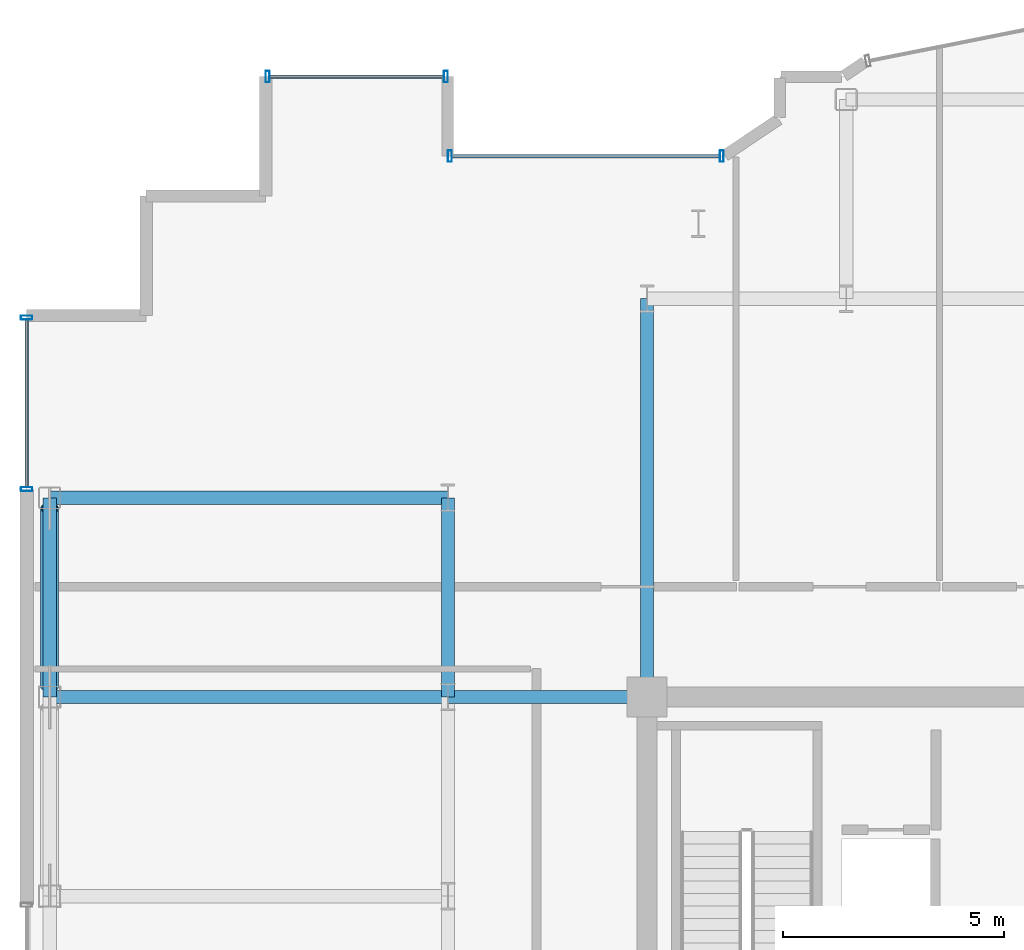
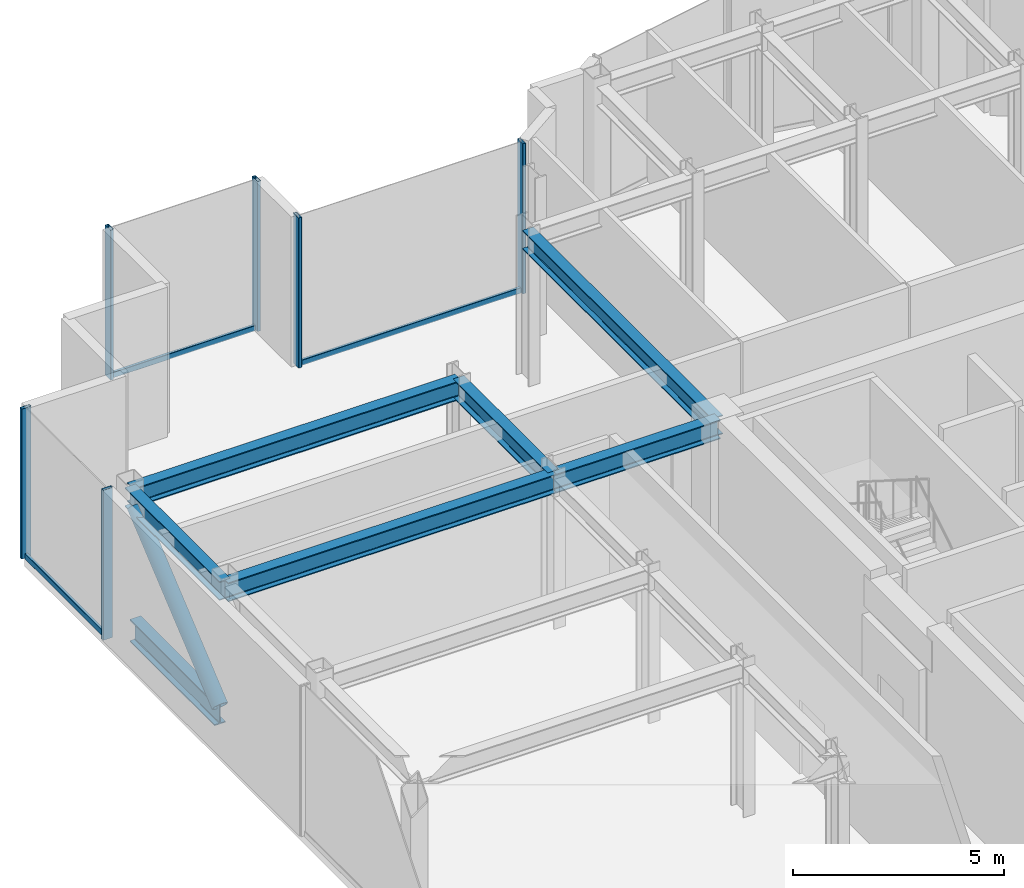
# One storey, part 9 of 18: 11 members, 6 beams, 3 elements without a shape of their own.
"""IFC4 building model written with IfcOpenShell, lengths in metres."""

import ifcopenshell
import ifcopenshell.guid

model = None  # the IFC model being written
_history = None  # IfcOwnerHistory: only IFC2X3 demands one
_inside = {}  # id of a spatial element -> (the spatial element, [elements in it])
_under = {}  # id of a project, library or spatial element -> (it, [spatial elements below it])
_declared = {}  # id of a project -> (the project, [libraries it declares])
_typed = {}  # id of a type object -> (the type object, [elements of that type])
_made_of = {}  # id of a material, layer set ... -> (it, [elements and type objects made of it])


def new_model(schema):
    """Start an empty IFC model of exactly this schema.

    Asked for "IFC4X3", IfcOpenShell would pick the latest addendum, in which some entities
    have other attributes; the version numbers below select the first issue.
    IFC2X3 requires an IfcOwnerHistory on every rooted entity: one is made here for all.
    """
    global model, _history
    if schema == "IFC4X3":
        model = ifcopenshell.file(schema_version=(4, 3, 0, 0))
    else:
        model = ifcopenshell.file(schema=schema)
    _inside.clear()
    _under.clear()
    _declared.clear()
    _typed.clear()
    _made_of.clear()
    _history = None
    if model.schema == "IFC2X3":
        org = make("IfcOrganization", Name="unknown")
        user = make(
            "IfcPersonAndOrganization",
            ThePerson=make("IfcPerson", FamilyName="unknown"),
            TheOrganization=org,
        )
        app = make(
            "IfcApplication",
            ApplicationDeveloper=org,
            Version="unknown",
            ApplicationFullName="unknown",
            ApplicationIdentifier="unknown",
        )
        _history = make(
            "IfcOwnerHistory",
            OwningUser=user,
            OwningApplication=app,
            ChangeAction="ADDED",
            CreationDate=0,
        )
    return model


def make(cls, **values):
    """One entity of the class cls with the attributes given. An attribute that is None is left unset."""
    return model.create_entity(
        cls, **{name: value for name, value in values.items() if value is not None}
    )


def rooted(cls, **values):
    """An entity with a GlobalId (a new one), such as an element, a storey or a relation."""
    return make(cls, GlobalId=ifcopenshell.guid.new(), OwnerHistory=_history, **values)


def si_unit(unit_type, name, prefix=None):
    """IfcSIUnit, for example si_unit("LENGTHUNIT", "METRE", prefix="MILLI")."""
    return make("IfcSIUnit", UnitType=unit_type, Prefix=prefix, Name=name)


def assignment(units):
    """IfcUnitAssignment: the units of a project."""
    return None if units is None else make("IfcUnitAssignment", Units=units)


def point(xyz):
    """IfcCartesianPoint."""
    return None if xyz is None else make("IfcCartesianPoint", Coordinates=xyz)


def direction(xyz):
    """IfcDirection."""
    return None if xyz is None else make("IfcDirection", DirectionRatios=xyz)


def frame(location, z_axis=None, x_axis=None):
    """IfcAxis2Placement3D, a coordinate frame: its origin and axes. An axis left out is left unset."""
    return make(
        "IfcAxis2Placement3D",
        Location=point(location),
        Axis=direction(z_axis),
        RefDirection=direction(x_axis),
    )


def frame_2d(location, x_axis=None):
    """IfcAxis2Placement2D, a coordinate frame in the plane: its origin and x axis."""
    return make(
        "IfcAxis2Placement2D", Location=point(location), RefDirection=direction(x_axis)
    )


def origin():
    """The frame at (0, 0, 0) with its axes left unset."""
    return frame((0.0, 0.0, 0.0))


def origin_2d():
    """The frame at (0, 0) in the plane with its x axis left unset."""
    return frame_2d((0.0, 0.0))


def place(relative_to, where):
    """IfcLocalPlacement: puts the frame where relative to a parent placement (None: the world)."""
    return make(
        "IfcLocalPlacement", PlacementRelTo=relative_to, RelativePlacement=where
    )


def context(
    kind, dimensions, precision=None, world=None, true_north=None, identifier=None
):
    """IfcGeometricRepresentationContext, for example the 3D "Model" context."""
    return make(
        "IfcGeometricRepresentationContext",
        ContextIdentifier=identifier,
        ContextType=kind,
        CoordinateSpaceDimension=dimensions,
        Precision=precision,
        WorldCoordinateSystem=world,
        TrueNorth=true_north,
    )


def subcontext(parent, identifier, kind, view, scale=None):
    """IfcGeometricRepresentationSubContext, for example "Body" below "Model"."""
    return make(
        "IfcGeometricRepresentationSubContext",
        ContextIdentifier=identifier,
        ContextType=kind,
        ParentContext=parent,
        TargetScale=scale,
        TargetView=view,
    )


def project(units=None, contexts=None):
    """IfcProject with its units and contexts."""
    return rooted(
        "IfcProject",
        Name="project",
        RepresentationContexts=contexts,
        UnitsInContext=assignment(units),
    )


def spatial(cls, under=None, at=None, **own):
    """A site, building, storey or space (cls), placed at a placement, below another one or the project."""
    s = rooted(cls, ObjectPlacement=at, **own)
    if under is not None:
        _under.setdefault(under.id(), (under, []))[1].append(s)
    return s


def profile(cls, at=None, kind="AREA", **sizes):
    """A parametric profile (cls). Its sizes go by their IFC names, for example OverallWidth=200.0."""
    return make(cls, ProfileType=kind, Position=at, **sizes)


def hollow_rectangle(**sizes):
    """IfcRectangleHollowProfileDef."""
    return profile("IfcRectangleHollowProfileDef", **sizes)


def hollow_circle(**sizes):
    """IfcCircleHollowProfileDef."""
    return profile("IfcCircleHollowProfileDef", **sizes)


def i_section(**sizes):
    """IfcIShapeProfileDef."""
    return profile("IfcIShapeProfileDef", **sizes)


def extrude(swept, where, along, depth):
    """IfcExtrudedAreaSolid: the profile swept, set in the frame where, extruded along a direction by depth."""
    return make(
        "IfcExtrudedAreaSolid",
        SweptArea=swept,
        Position=where,
        ExtrudedDirection=direction(along),
        Depth=depth,
    )


def shape(context_of_items, identifier, shape_type, items):
    """IfcShapeRepresentation: the items that make up one representation, for example the "Body"."""
    return make(
        "IfcShapeRepresentation",
        ContextOfItems=context_of_items,
        RepresentationIdentifier=identifier,
        RepresentationType=shape_type,
        Items=items,
    )


def source(mapping_origin, context_of_items, identifier, shape_type, items):
    """IfcRepresentationMap: a shape defined once, which mapped items show again and again."""
    return make(
        "IfcRepresentationMap",
        MappingOrigin=mapping_origin,
        MappedRepresentation=shape(context_of_items, identifier, shape_type, items),
    )


def transform(
    local_origin,
    x_axis=None,
    y_axis=None,
    z_axis=None,
    scale=None,
    scale2=None,
    scale3=None,
    uniform=True,
):
    """IfcCartesianTransformationOperator3D, or its non-uniform kind. x_axis, y_axis, z_axis: its Axis1, 2, 3."""
    if uniform:
        return make(
            "IfcCartesianTransformationOperator3D",
            Axis1=direction(x_axis),
            Axis2=direction(y_axis),
            LocalOrigin=point(local_origin),
            Scale=scale,
            Axis3=direction(z_axis),
        )
    return make(
        "IfcCartesianTransformationOperator3DnonUniform",
        Axis1=direction(x_axis),
        Axis2=direction(y_axis),
        LocalOrigin=point(local_origin),
        Scale=scale,
        Axis3=direction(z_axis),
        Scale2=scale2,
        Scale3=scale3,
    )


def mapped(mapping_source, mapping_target):
    """IfcMappedItem: shows the shape of a source again, moved by a transform."""
    return make(
        "IfcMappedItem", MappingSource=mapping_source, MappingTarget=mapping_target
    )


def material(Name=None, Category=None):
    """IfcMaterial."""
    return make("IfcMaterial", Name=Name, Category=Category)


def layer(
    of_material, thickness, ventilated=None, Name=None, Category=None, Priority=None
):
    """IfcMaterialLayer: one layer of a wall or slab, of a material (None: an air gap)."""
    return make(
        "IfcMaterialLayer",
        Material=of_material,
        LayerThickness=thickness,
        IsVentilated=ventilated,
        Name=Name,
        Category=Category,
        Priority=Priority,
    )


def layer_set(layers, Name=None):
    """IfcMaterialLayerSet."""
    return make("IfcMaterialLayerSet", MaterialLayers=layers, LayerSetName=Name)


def material_profile(
    of_material, cross_section, Name=None, Category=None, Priority=None
):
    """IfcMaterialProfile: a cross section and its material."""
    return make(
        "IfcMaterialProfile",
        Name=Name,
        Material=of_material,
        Profile=cross_section,
        Priority=Priority,
        Category=Category,
    )


def profile_set(profiles, Name=None, composite=None):
    """IfcMaterialProfileSet."""
    return make(
        "IfcMaterialProfileSet",
        Name=Name,
        MaterialProfiles=profiles,
        CompositeProfile=composite,
    )


def made_of(thing, what):
    """Note that an element or type object is made of a material, layer set ...; save() writes the relation."""
    if what is not None:
        _made_of.setdefault(what.id(), (what, []))[1].append(thing)
    return thing


def type_object(cls, material=None, **own):
    """A type object (cls), such as IfcWallType, which elements share."""
    return made_of(rooted(cls, **own), material)


def element(
    cls,
    number,
    at=None,
    inside=None,
    cuts=None,
    type_object=None,
    material=None,
    context=None,
    identifier="Body",
    shape_type=None,
    held_by="IfcProductDefinitionShape",
    body=None,
    shapes=None,
    **own,
):
    """One element of the class cls, such as IfcWall. Its Tag is "e" and its number.

    at: its placement. inside: the storey or other place that contains it. cuts: it is an
    opening in that element (IfcRelVoidsElement). A single representation is given by context,
    identifier, shape_type and body (its items); several are given by shapes. held_by: the class
    of the entity that holds the representations. save() writes the other relations.
    """
    e = rooted(cls, Tag="e%d" % number, ObjectPlacement=at, **own)
    if body is not None:
        shapes = [shape(context, identifier, shape_type, body)]
    if shapes is not None:
        e.Representation = make(held_by, Representations=shapes)
    if inside is not None:
        _inside.setdefault(inside.id(), (inside, []))[1].append(e)
    if cuts is not None:
        rooted(
            "IfcRelVoidsElement", RelatingBuildingElement=cuts, RelatedOpeningElement=e
        )
    if type_object is not None:
        _typed.setdefault(type_object.id(), (type_object, []))[1].append(e)
    return made_of(e, material)


def aggregate(whole, parts):
    """IfcRelAggregates: a whole, such as a stair, and the parts it consists of."""
    return rooted("IfcRelAggregates", RelatingObject=whole, RelatedObjects=parts)


def save(model, path):
    """Write the relations noted so far, then the file.

    IfcRelAggregates (storeys below a building ...), IfcRelContainedInSpatialStructure (elements
    in a storey), IfcRelDefinesByType, IfcRelAssociatesMaterial and IfcRelDeclares: one each for
    every whole, place, type object, material and project.
    """
    for whole, parts in _under.values():
        aggregate(whole, parts)
    for where, things in _inside.values():
        rooted(
            "IfcRelContainedInSpatialStructure",
            RelatedElements=things,
            RelatingStructure=where,
        )
    for kind, things in _typed.values():
        rooted("IfcRelDefinesByType", RelatedObjects=things, RelatingType=kind)
    for what, things in _made_of.values():
        rooted("IfcRelAssociatesMaterial", RelatedObjects=things, RelatingMaterial=what)
    for by, libraries in _declared.values():
        rooted("IfcRelDeclares", RelatingContext=by, RelatedDefinitions=libraries)
    model.write(path)


model = new_model("IFC4")

# Units and contexts
model_context = context("Model", 3, precision=1e-05, world=origin(), true_north=direction((0.0, 1.0)))
body_context = subcontext(model_context, "Body", "Model", "MODEL_VIEW")
ifc_project = project(units=[si_unit("LENGTHUNIT", "METRE"), si_unit("AREAUNIT", "SQUARE_METRE"), si_unit("VOLUMEUNIT", "CUBIC_METRE"), si_unit("PLANEANGLEUNIT", "RADIAN"), si_unit("MASSUNIT", "GRAM", prefix="KILO")], contexts=[model_context])

# Site, building, storey
site_placement = place(None, origin())
site = spatial("IfcSite", under=ifc_project, at=site_placement, CompositionType="ELEMENT")
building_placement = place(site_placement, origin())
building = spatial("IfcBuilding", under=site, at=building_placement, Name="Nefas-Gora Pilgrimage Tower", CompositionType="ELEMENT")
storey_placement = place(building_placement, frame((0.0, 0.0, 317.800048828125)))
storey = spatial("IfcBuildingStorey", under=building, at=storey_placement, Name="L80", CompositionType="ELEMENT", Elevation=317.800048828125)

# Beams
ifc_material_1 = material(Name="Steel S355", Category="steel")
ifc_material_profile_1 = material_profile(ifc_material_1, i_section(OverallWidth=0.300048828125, OverallDepth=0.550048828125, WebThickness=0.014892578125, FlangeThickness=0.029052734375, FilletRadius=0.027099609375, at=origin_2d()), Name="HEB 550")
ifc_profile_set_1 = profile_set([ifc_material_profile_1], Name="Steel S355")
beam_type_1 = type_object("IfcBeamType", Name="BM-SPN-HEB400", PredefinedType="SPANDREL", material=ifc_profile_set_1)
shared_shape_1 = source(origin(), body_context, "Body", "SweptSolid", [
    extrude(i_section(OverallWidth=0.300048828125, OverallDepth=0.550048828125, WebThickness=0.014892578125, FlangeThickness=0.029052734375, FilletRadius=0.027099609375, at=origin_2d()), origin(), (0.0, 0.0, 1.0), 4.5),
])
beam_placement = place(storey_placement, frame((-24.75, 9.0, 4.074951171875), z_axis=(0.0, 1.0, 0.0), x_axis=(-1.0, 0.0, 0.0)))
element("IfcBeam", 1, at=beam_placement, inside=storey, type_object=beam_type_1, Name="L80 SP-04 beam", PredefinedType="SPANDREL", context=body_context, shape_type="MappedRepresentation", body=[
    mapped(shared_shape_1, transform((0.0, 0.0, 0.0), x_axis=(1.0, 0.0, 0.0), y_axis=(0.0, 1.0, 0.0), z_axis=(0.0, 0.0, 1.0), scale=1.0)),
])
ifc_material_profile_2 = material_profile(ifc_material_1, i_section(OverallWidth=0.300048828125, OverallDepth=0.550048828125, WebThickness=0.014892578125, FlangeThickness=0.029052734375, FilletRadius=0.027099609375, at=origin_2d()), Name="HEB 550")
ifc_profile_set_2 = profile_set([ifc_material_profile_2], Name="Steel S355")
beam_type_2 = type_object("IfcBeamType", Name="BM-GIR-HEB550", PredefinedType="BEAM", material=ifc_profile_set_2)
shared_shape_2 = source(origin(), body_context, "Body", "SweptSolid", [
    extrude(i_section(OverallWidth=0.300048828125, OverallDepth=0.550048828125, WebThickness=0.014892578125, FlangeThickness=0.029052734375, FilletRadius=0.027099609375, at=origin_2d()), origin(), (0.0, 0.0, 1.0), 9.0),
])
for number, where, z_axis, x_axis, name in (
    (2, (-24.75, 9.0, 4.074951171875), (1.0, 0.0, 0.0), (0.0, 1.0, 0.0), "L80 G-05 beam"),
    (3, (-24.75, 13.5, 4.074951171875), (1.0, 0.0, 0.0), (0.0, 1.0, 0.0), "L80 G-05 beam"),
    (4, (-11.25, 9.0, 4.074951171875), (0.0, 1.0, 0.0), (-1.0, 0.0, 0.0), "L80 G-05 beam"),
):
    element("IfcBeam", number, at=place(storey_placement, frame(where, z_axis=z_axis, x_axis=x_axis)), inside=storey, type_object=beam_type_2, Name=name, PredefinedType="BEAM", context=body_context, shape_type="MappedRepresentation", body=[
        mapped(shared_shape_2, transform((0.0, 0.0, 0.0), x_axis=(1.0, 0.0, 0.0), y_axis=(0.0, 1.0, 0.0), z_axis=(0.0, 0.0, 1.0), scale=1.0)),
    ])
shared_shape_3 = source(origin(), body_context, "Body", "SweptSolid", [
    extrude(i_section(OverallWidth=0.300048828125, OverallDepth=0.550048828125, WebThickness=0.014892578125, FlangeThickness=0.029052734375, FilletRadius=0.027099609375, at=origin_2d()), origin(), (0.0, 0.0, 1.0), 4.5),
])
for number, where, z_axis, x_axis, name in (
    (5, (-15.75, 9.0, 4.074951171875), (0.0, 1.0, 0.0), (-1.0, 0.0, 0.0), "L80 G-05 beam"),
    (6, (-15.75, 9.0, 4.074951171875), (1.0, 0.0, 0.0), (0.0, 1.0, 0.0), "L80 G-05 beam"),
):
    element("IfcBeam", number, at=place(storey_placement, frame(where, z_axis=z_axis, x_axis=x_axis)), inside=storey, type_object=beam_type_2, Name=name, PredefinedType="BEAM", context=body_context, shape_type="MappedRepresentation", body=[
        mapped(shared_shape_3, transform((0.0, 0.0, 0.0), x_axis=(1.0, 0.0, 0.0), y_axis=(0.0, 1.0, 0.0), z_axis=(0.0, 0.0, 1.0), scale=1.0)),
    ])

# Members
ifc_material_2 = material(Name="Steel S460", Category="steel")
ifc_material_profile_3 = material_profile(ifc_material_2, hollow_circle(Radius=0.203125, WallThickness=0.02490234375, at=origin_2d()), Name="CHS 406.4x25")
ifc_profile_set_3 = profile_set([ifc_material_profile_3], Name="Steel S460")
member_type_1 = type_object("IfcMemberType", Name="MEM-BELT-406", PredefinedType="BRACE", material=ifc_profile_set_3)
shared_shape_4 = source(origin(), body_context, "Body", "SweptSolid", [
    extrude(hollow_circle(Radius=0.203125, WallThickness=0.02490234375, at=origin_2d()), origin(), (0.0, 0.0, 1.0), 5.238037109375),
])
member_1_placement = place(storey_placement, frame((-24.75, 9.238037109375, 0.54833984375), z_axis=(0.0, 0.768221279597, 0.640184399664), x_axis=(-1.0, 0.0, 0.0)))
element("IfcMember", 7, at=member_1_placement, inside=storey, type_object=member_type_1, Name="L80 Perimeter Belt-Truss Diagonal 4", PredefinedType="BRACE", context=body_context, shape_type="MappedRepresentation", body=[
    mapped(shared_shape_4, transform((0.0, 0.0, 0.0), x_axis=(1.0, 0.0, 0.0), y_axis=(0.0, 1.0, 0.0), z_axis=(0.0, 0.0, 1.0), scale=1.0)),
])
ifc_material_profile_4 = material_profile(ifc_material_2, i_section(OverallWidth=0.300048828125, OverallDepth=0.64990234375, WebThickness=0.01611328125, FlangeThickness=0.031005859375, FilletRadius=0.027099609375, at=origin_2d()), Name="HEB 650")
ifc_profile_set_4 = profile_set([ifc_material_profile_4], Name="Steel S460")
member_type_2 = type_object("IfcMemberType", Name="MEM-BELT-CHORD", PredefinedType="CHORD", material=ifc_profile_set_4)
shared_shape_5 = source(origin(), body_context, "Body", "SweptSolid", [
    extrude(i_section(OverallWidth=0.300048828125, OverallDepth=0.64990234375, WebThickness=0.01611328125, FlangeThickness=0.031005859375, FilletRadius=0.027099609375, at=origin_2d()), origin(), (0.0, 0.0, 1.0), 4.02392578125),
])
member_2_placement = place(storey_placement, frame((-24.75, 9.238037109375, 0.349853515625), z_axis=(0.0, 1.0, 0.0), x_axis=(-1.0, 0.0, 0.0)))
element("IfcMember", 8, at=member_2_placement, inside=storey, type_object=member_type_2, Name="L80 Perimeter Belt-Truss Bottom Chord 4", PredefinedType="CHORD", context=body_context, shape_type="MappedRepresentation", body=[
    mapped(shared_shape_5, transform((0.0, 0.0, 0.0), x_axis=(1.0, 0.0, 0.0), y_axis=(0.0, 1.0, 0.0), z_axis=(0.0, 0.0, 1.0), scale=1.0)),
])

# Curtain wall, member
ifc_material_3 = material(Name="Dark ceramic-fritted solar-control aluminium-glass curtain wall", Category="aluminium")
ifc_layer_1 = layer(ifc_material_3, 0.219970703125)
ifc_layer_set_1 = layer_set([ifc_layer_1], Name="Dark ceramic-fritted solar-control aluminium-glass curtain wall")
curtain_wall_type_1 = type_object("IfcCurtainWallType", Name="CW-SYS-5", PredefinedType="NOTDEFINED", material=ifc_layer_set_1)
curtain_wall_1_placement = place(storey_placement, origin())
curtain_wall_1 = element("IfcCurtainWall", 9, at=curtain_wall_1_placement, inside=storey, type_object=curtain_wall_type_1, Name="L80 Unitised Curtain Wall CW5", PredefinedType="NOTDEFINED")
ifc_material_4 = material(Name="Anodised architectural aluminium", Category="aluminium")
ifc_material_profile_5 = material_profile(ifc_material_4, hollow_rectangle(XDim=0.080078125, YDim=0.159912109375, WallThickness=0.00439453125, InnerFilletRadius=0.00439453125, OuterFilletRadius=0.009033203125, at=origin_2d()), Name="ALU TRANSOM 80x160")
ifc_profile_set_5 = profile_set([ifc_material_profile_5], Name="Anodised architectural aluminium")
member_type_3 = type_object("IfcMemberType", Name="CWM-TRN-5", PredefinedType="USERDEFINED", material=ifc_profile_set_5)
shared_shape_6 = source(origin(), body_context, "Body", "SweptSolid", [
    extrude(hollow_rectangle(XDim=0.080078125, YDim=0.159912109375, WallThickness=0.00439453125, InnerFilletRadius=0.00439453125, OuterFilletRadius=0.009033203125, at=origin_2d()), origin(), (0.0, 0.0, 1.0), 6.052001953125),
])
member_3_placement = place(storey_placement, frame((-9.60791015625, 21.219970703125, 0.050048828125), z_axis=(-1.0, 0.0, 0.0), x_axis=(0.0, -1.0, 0.0)))
member_3 = element("IfcMember", 10, at=member_3_placement, type_object=member_type_3, Name="CW5 Spandrel Transom", ObjectType="TRANSOM", PredefinedType="USERDEFINED", context=body_context, shape_type="MappedRepresentation", body=[
    mapped(shared_shape_6, transform((0.0, 0.0, 0.0), x_axis=(1.0, 0.0, 0.0), y_axis=(0.0, 1.0, 0.0), z_axis=(0.0, 0.0, 1.0), scale=1.0)),
])

# Curtain wall, members
ifc_layer_2 = layer(ifc_material_3, 0.219970703125)
ifc_layer_set_2 = layer_set([ifc_layer_2], Name="Dark ceramic-fritted solar-control aluminium-glass curtain wall")
curtain_wall_type_2 = type_object("IfcCurtainWallType", Name="CW-SYS-4", PredefinedType="NOTDEFINED", material=ifc_layer_set_2)
curtain_wall_2_placement = place(storey_placement, origin())
curtain_wall_2 = element("IfcCurtainWall", 11, at=curtain_wall_2_placement, inside=storey, type_object=curtain_wall_type_2, Name="L80 Unitised Curtain Wall CW4", PredefinedType="NOTDEFINED")
ifc_material_profile_6 = material_profile(ifc_material_4, hollow_rectangle(XDim=0.080078125, YDim=0.159912109375, WallThickness=0.00439453125, InnerFilletRadius=0.00439453125, OuterFilletRadius=0.009033203125, at=origin_2d()), Name="ALU TRANSOM 80x160")
ifc_profile_set_6 = profile_set([ifc_material_profile_6], Name="Anodised architectural aluminium")
member_type_4 = type_object("IfcMemberType", Name="CWM-TRN-4", PredefinedType="USERDEFINED", material=ifc_profile_set_6)
shared_shape_7 = source(origin(), body_context, "Body", "SweptSolid", [
    extrude(hollow_rectangle(XDim=0.080078125, YDim=0.159912109375, WallThickness=0.00439453125, InnerFilletRadius=0.00439453125, OuterFilletRadius=0.009033203125, at=origin_2d()), origin(), (0.0, 0.0, 1.0), 3.93994140625),
])
member_4_placement = place(storey_placement, frame((-15.840087890625, 23.02001953125, 0.050048828125), z_axis=(-1.0, 0.0, 0.0), x_axis=(0.0, -1.0, 0.0)))
member_4 = element("IfcMember", 12, at=member_4_placement, type_object=member_type_4, Name="CW4 Spandrel Transom", ObjectType="TRANSOM", PredefinedType="USERDEFINED", context=body_context, shape_type="MappedRepresentation", body=[
    mapped(shared_shape_7, transform((0.0, 0.0, 0.0), x_axis=(1.0, 0.0, 0.0), y_axis=(0.0, 1.0, 0.0), z_axis=(0.0, 0.0, 1.0), scale=1.0)),
])
ifc_material_profile_7 = material_profile(ifc_material_4, hollow_rectangle(XDim=0.090087890625, YDim=0.260009765625, WallThickness=0.006103515625, InnerFilletRadius=0.006103515625, OuterFilletRadius=0.011962890625, at=origin_2d()), Name="ALU MULLION 90x260")
ifc_profile_set_7 = profile_set([ifc_material_profile_7], Name="Anodised architectural aluminium")
member_type_5 = type_object("IfcMemberType", Name="CWM-MUL-4", PredefinedType="MULLION", material=ifc_profile_set_7)
shared_shape_8 = source(origin(), body_context, "Body", "SweptSolid", [
    extrude(hollow_rectangle(XDim=0.090087890625, YDim=0.260009765625, WallThickness=0.006103515625, InnerFilletRadius=0.006103515625, OuterFilletRadius=0.011962890625, at=origin_2d()), origin(), (0.0, 0.0, 1.0), 4.349853515625),
])
member_5_placement = place(storey_placement, frame((-15.794921875, 23.02001953125, 0.0), z_axis=(0.0, 0.0, 1.0), x_axis=(-1.0, 0.0, 0.0)))
member_5 = element("IfcMember", 13, at=member_5_placement, type_object=member_type_5, Name="CW4 Mullion 1", PredefinedType="MULLION", context=body_context, shape_type="MappedRepresentation", body=[
    mapped(shared_shape_8, transform((0.0, 0.0, 0.0), x_axis=(1.0, 0.0, 0.0), y_axis=(0.0, 1.0, 0.0), z_axis=(0.0, 0.0, 1.0), scale=1.0)),
])
member_6_placement = place(storey_placement, frame((-19.824951171875, 23.02001953125, 0.0), z_axis=(0.0, 0.0, 1.0), x_axis=(-1.0, 0.0, 0.0)))
member_6 = element("IfcMember", 14, at=member_6_placement, type_object=member_type_5, Name="CW4 Mullion 2", PredefinedType="MULLION", context=body_context, shape_type="MappedRepresentation", body=[
    mapped(shared_shape_8, transform((0.0, 0.0, 0.0), x_axis=(1.0, 0.0, 0.0), y_axis=(0.0, 1.0, 0.0), z_axis=(0.0, 0.0, 1.0), scale=1.0)),
])
aggregate(curtain_wall_2, [member_5, member_6, member_4])

curtain_wall_3_placement = place(storey_placement, origin())
curtain_wall_3 = element("IfcCurtainWall", 15, at=curtain_wall_3_placement, inside=storey, type_object=curtain_wall_type_2, Name="L80 Unitised Curtain Wall CW4", PredefinedType="NOTDEFINED")
member_7_placement = place(storey_placement, frame((-25.27001953125, 17.574951171875, 0.0), z_axis=(0.0, 0.0, 1.0), x_axis=(0.0, -1.0, 0.0)))
member_7 = element("IfcMember", 16, at=member_7_placement, type_object=member_type_5, Name="CW4 Mullion 1", PredefinedType="MULLION", context=body_context, shape_type="MappedRepresentation", body=[
    mapped(shared_shape_8, transform((0.0, 0.0, 0.0), x_axis=(1.0, 0.0, 0.0), y_axis=(0.0, 1.0, 0.0), z_axis=(0.0, 0.0, 1.0), scale=1.0)),
])
member_8_placement = place(storey_placement, frame((-25.27001953125, 13.695068359375, 0.0), z_axis=(0.0, 0.0, 1.0), x_axis=(0.0, -1.0, 0.0)))
member_8 = element("IfcMember", 17, at=member_8_placement, type_object=member_type_5, Name="CW4 Mullion 2", PredefinedType="MULLION", context=body_context, shape_type="MappedRepresentation", body=[
    mapped(shared_shape_8, transform((0.0, 0.0, 0.0), x_axis=(1.0, 0.0, 0.0), y_axis=(0.0, 1.0, 0.0), z_axis=(0.0, 0.0, 1.0), scale=1.0)),
])
shared_shape_9 = source(origin(), body_context, "Body", "SweptSolid", [
    extrude(hollow_rectangle(XDim=0.080078125, YDim=0.159912109375, WallThickness=0.00439453125, InnerFilletRadius=0.00439453125, OuterFilletRadius=0.009033203125, at=origin_2d()), origin(), (0.0, 0.0, 1.0), 3.7900390625),
])
member_9_placement = place(storey_placement, frame((-25.27001953125, 17.530029296875, 0.050048828125), z_axis=(0.0, -1.0, 0.0), x_axis=(1.0, 0.0, 0.0)))
member_9 = element("IfcMember", 18, at=member_9_placement, type_object=member_type_4, Name="CW4 Spandrel Transom", ObjectType="TRANSOM", PredefinedType="USERDEFINED", context=body_context, shape_type="MappedRepresentation", body=[
    mapped(shared_shape_9, transform((0.0, 0.0, 0.0), x_axis=(1.0, 0.0, 0.0), y_axis=(0.0, 1.0, 0.0), z_axis=(0.0, 0.0, 1.0), scale=1.0)),
])
aggregate(curtain_wall_3, [member_7, member_8, member_9])

# Member
ifc_material_profile_8 = material_profile(ifc_material_4, hollow_rectangle(XDim=0.090087890625, YDim=0.260009765625, WallThickness=0.006103515625, InnerFilletRadius=0.006103515625, OuterFilletRadius=0.011962890625, at=origin_2d()), Name="ALU MULLION 90x260")
ifc_profile_set_8 = profile_set([ifc_material_profile_8], Name="Anodised architectural aluminium")
member_type_6 = type_object("IfcMemberType", Name="CWM-MUL-5", PredefinedType="MULLION", material=ifc_profile_set_8)
shared_shape_10 = source(origin(), body_context, "Body", "SweptSolid", [
    extrude(hollow_rectangle(XDim=0.090087890625, YDim=0.260009765625, WallThickness=0.006103515625, InnerFilletRadius=0.006103515625, OuterFilletRadius=0.011962890625, at=origin_2d()), origin(), (0.0, 0.0, 1.0), 4.349853515625),
])
member_10_placement = place(storey_placement, frame((-9.56298828125, 21.219970703125, 0.0), z_axis=(0.0, 0.0, 1.0), x_axis=(-1.0, 0.0, 0.0)))
member_10 = element("IfcMember", 19, at=member_10_placement, type_object=member_type_6, Name="CW5 Mullion 1", PredefinedType="MULLION", context=body_context, shape_type="MappedRepresentation", body=[
    mapped(shared_shape_10, transform((0.0, 0.0, 0.0), x_axis=(1.0, 0.0, 0.0), y_axis=(0.0, 1.0, 0.0), z_axis=(0.0, 0.0, 1.0), scale=1.0)),
])

member_11_placement = place(storey_placement, frame((-15.705078125, 21.219970703125, 0.0), z_axis=(0.0, 0.0, 1.0), x_axis=(-1.0, 0.0, 0.0)))
member_11 = element("IfcMember", 20, at=member_11_placement, type_object=member_type_6, Name="CW5 Mullion 2", PredefinedType="MULLION", context=body_context, shape_type="MappedRepresentation", body=[
    mapped(shared_shape_10, transform((0.0, 0.0, 0.0), x_axis=(1.0, 0.0, 0.0), y_axis=(0.0, 1.0, 0.0), z_axis=(0.0, 0.0, 1.0), scale=1.0)),
])

aggregate(curtain_wall_1, [member_10, member_11, member_3])

save(model, "model.ifc")
